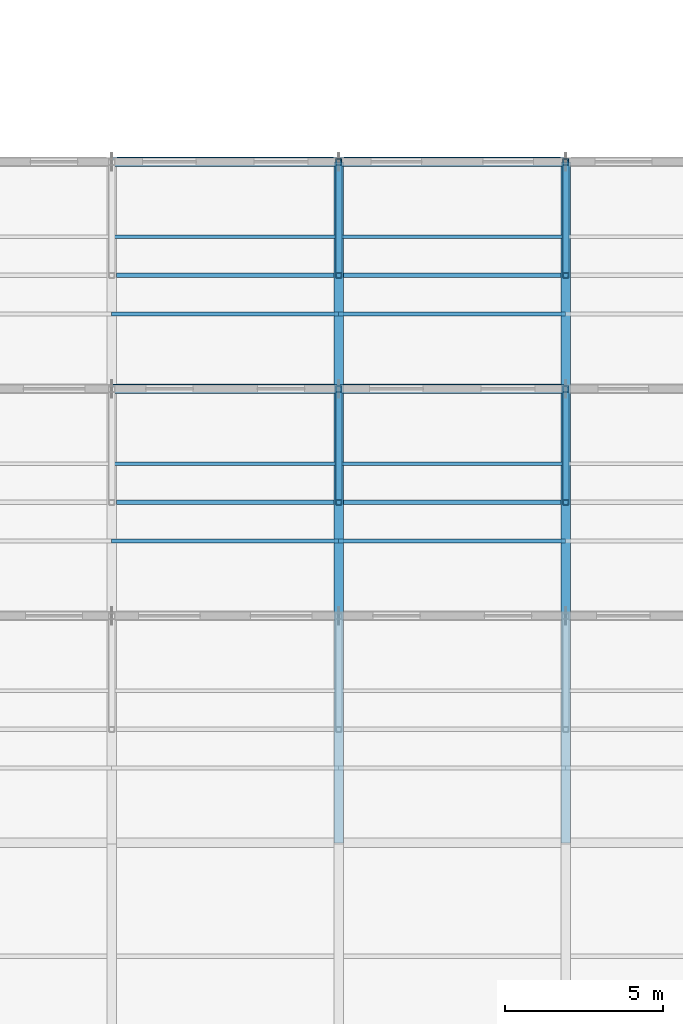
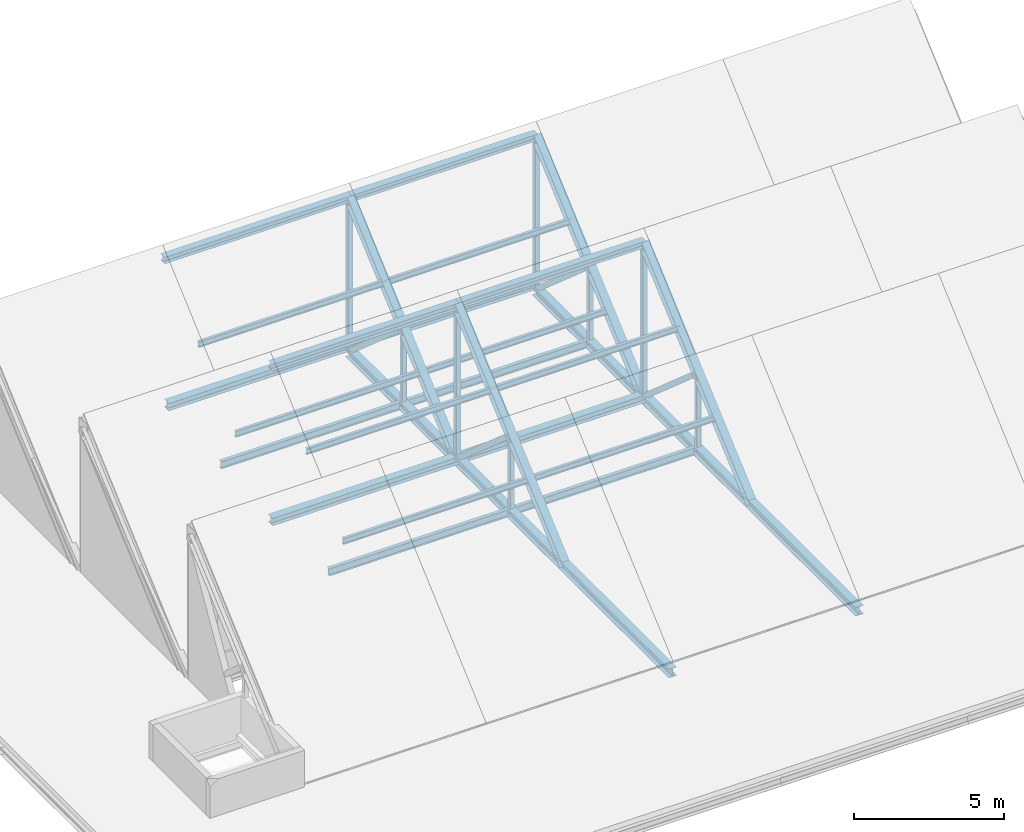
# One storey, part 8 of 31: 20 beams, 18 members.
"""IFC4 building model written with IfcOpenShell, lengths in metres."""

from ifc_helpers import new_model, si_unit, direction, frame, origin, origin_2d, place, context, subcontext, project, spatial, hollow_rectangle, hollow_circle, i_section, extrude, material, material_profile, profile_set, type_object, element, save


model = new_model("IFC4")

# Units and contexts
model_context = context("Model", 3, precision=1e-05, world=origin(), true_north=direction((0.0, 1.0)))
body_context = subcontext(model_context, "Body", "Model", "MODEL_VIEW")
ifc_project = project(units=[si_unit("LENGTHUNIT", "METRE"), si_unit("AREAUNIT", "SQUARE_METRE"), si_unit("VOLUMEUNIT", "CUBIC_METRE"), si_unit("PLANEANGLEUNIT", "RADIAN"), si_unit("MASSUNIT", "GRAM", prefix="KILO")], contexts=[model_context])

# Site, building, storey
site_placement = place(None, origin())
site = spatial("IfcSite", under=ifc_project, at=site_placement, CompositionType="ELEMENT")
building_placement = place(site_placement, origin())
building = spatial("IfcBuilding", under=site, at=building_placement, Name="Zlatovets Crest Museum", CompositionType="ELEMENT")
storey_placement = place(building_placement, frame((0.0, 0.0, 25.199951171875)))
storey = spatial("IfcBuildingStorey", under=building, at=storey_placement, Name="L05", CompositionType="ELEMENT", Elevation=25.199951171875)

# Beams
ifc_material = material(Name="Structural steel S355J2", Category="steel")
ifc_material_profile_1 = material_profile(ifc_material, i_section(OverallWidth=0.300048828125, OverallDepth=0.31005859375, WebThickness=0.009033203125, FlangeThickness=0.015380859375, FilletRadius=0.027099609375, at=origin_2d()), Name="HEA 320")
ifc_profile_set_1 = profile_set([ifc_material_profile_1], Name="Structural steel S355J2")
beam_type_1 = type_object("IfcBeamType", Name="Beam_B-04", PredefinedType="BEAM", material=ifc_profile_set_1)
for number, where, z_axis, x_axis, name in (
    (1, (72.0, 21.60009765625, -0.39990234375), (1.0, 0.0, 0.0), (0.0, 1.0, 0.0), "V2 Sawtooth Tooth 2 Valley / Clerestory Sill Girder"),
    (2, (79.199951171875, 21.60009765625, -0.39990234375), (1.0, 0.0, 0.0), (0.0, 1.0, 0.0), "V2 Sawtooth Tooth 2 Valley / Clerestory Sill Girder"),
):
    element("IfcBeam", number, at=place(storey_placement, frame(where, z_axis=z_axis, x_axis=x_axis)), inside=storey, type_object=beam_type_1, Name=name, PredefinedType="BEAM", context=body_context, shape_type="SweptSolid", body=[
        extrude(i_section(OverallWidth=0.300048828125, OverallDepth=0.31005859375, WebThickness=0.009033203125, FlangeThickness=0.015380859375, FilletRadius=0.027099609375, at=origin_2d()), origin(), (0.0, 0.0, 1.0), 7.199951171875),
    ])
beam_1_placement = place(storey_placement, frame((72.159912109375, 28.800048828125, -0.135009765625), z_axis=(1.0, 0.0, 0.0), x_axis=(0.0, 1.0, 0.0)))
element("IfcBeam", 3, at=beam_1_placement, inside=storey, type_object=beam_type_1, Name="V2 Sawtooth Tooth 3 Valley / Clerestory Sill Girder", PredefinedType="BEAM", context=body_context, shape_type="SweptSolid", body=[
    extrude(i_section(OverallWidth=0.300048828125, OverallDepth=0.31005859375, WebThickness=0.009033203125, FlangeThickness=0.015380859375, FilletRadius=0.027099609375, at=origin_2d()), origin(), (0.0, 0.0, 1.0), 6.880126953125),
])
beam_2_placement = place(storey_placement, frame((79.360107421875, 28.800048828125, -0.135009765625), z_axis=(1.0, 0.0, 0.0), x_axis=(0.0, 1.0, 0.0)))
element("IfcBeam", 4, at=beam_2_placement, inside=storey, type_object=beam_type_1, Name="V2 Sawtooth Tooth 3 Valley / Clerestory Sill Girder", PredefinedType="BEAM", context=body_context, shape_type="SweptSolid", body=[
    extrude(i_section(OverallWidth=0.300048828125, OverallDepth=0.31005859375, WebThickness=0.009033203125, FlangeThickness=0.015380859375, FilletRadius=0.027099609375, at=origin_2d()), origin(), (0.0, 0.0, 1.0), 6.8798828125),
])
ifc_material_profile_2 = material_profile(ifc_material, i_section(OverallWidth=0.280029296875, OverallDepth=0.27001953125, WebThickness=0.008056640625, FlangeThickness=0.012939453125, FilletRadius=0.02392578125, at=origin_2d()), Name="HEA 280")
ifc_profile_set_2 = profile_set([ifc_material_profile_2], Name="Structural steel S355J2")
beam_type_2 = type_object("IfcBeamType", Name="Beam_B-05", PredefinedType="BEAM", material=ifc_profile_set_2)
for number, where, z_axis, x_axis, name in (
    (5, (72.0, 21.60009765625, 5.8857421875), (1.0, 0.0, 0.0), (0.0, 1.0, 0.0), "V2 Sawtooth Tooth 2 Ridge Girder"),
    (6, (79.199951171875, 21.60009765625, 5.8857421875), (1.0, 0.0, 0.0), (0.0, 1.0, 0.0), "V2 Sawtooth Tooth 2 Ridge Girder"),
    (7, (72.0, 28.800048828125, 5.8857421875), (1.0, 0.0, 0.0), (0.0, 1.0, 0.0), "V2 Sawtooth Tooth 3 Ridge Girder"),
    (8, (79.199951171875, 28.800048828125, 5.8857421875), (1.0, 0.0, 0.0), (0.0, 1.0, 0.0), "V2 Sawtooth Tooth 3 Ridge Girder"),
):
    element("IfcBeam", number, at=place(storey_placement, frame(where, z_axis=z_axis, x_axis=x_axis)), inside=storey, type_object=beam_type_2, Name=name, PredefinedType="BEAM", context=body_context, shape_type="SweptSolid", body=[
        extrude(i_section(OverallWidth=0.280029296875, OverallDepth=0.27001953125, WebThickness=0.008056640625, FlangeThickness=0.012939453125, FilletRadius=0.02392578125, at=origin_2d()), origin(), (0.0, 0.0, 1.0), 7.199951171875),
    ])
ifc_material_profile_3 = material_profile(ifc_material, i_section(OverallWidth=0.14990234375, OverallDepth=0.300048828125, WebThickness=0.007080078125, FlangeThickness=0.0107421875, FilletRadius=0.014892578125, at=origin_2d()), Name="IPE 300")
ifc_profile_set_3 = profile_set([ifc_material_profile_3], Name="Structural steel S355J2")
beam_type_3 = type_object("IfcBeamType", Name="Beam_J-02", PredefinedType="JOIST", material=ifc_profile_set_3)
for number, where, z_axis, x_axis, name in (
    (9, (72.14990234375, 18.0, -0.369873046875), (1.0, 0.0, 0.0), (0.0, 1.0, 0.0), "V2 L05 Composite Joist J-02"),
    (10, (72.14990234375, 25.199951171875, -0.369873046875), (1.0, 0.0, 0.0), (0.0, 1.0, 0.0), "V2 L05 Composite Joist J-02"),
):
    element("IfcBeam", number, at=place(storey_placement, frame(where, z_axis=z_axis, x_axis=x_axis)), inside=storey, type_object=beam_type_3, Name=name, PredefinedType="JOIST", context=body_context, shape_type="SweptSolid", body=[
        extrude(i_section(OverallWidth=0.14990234375, OverallDepth=0.300048828125, WebThickness=0.007080078125, FlangeThickness=0.0107421875, FilletRadius=0.014892578125, at=origin_2d()), origin(), (0.0, 0.0, 1.0), 6.900146484375),
    ])
for number, where, z_axis, x_axis, name in (
    (11, (79.35009765625, 18.0, -0.369873046875), (1.0, 0.0, 0.0), (0.0, 1.0, 0.0), "V2 L05 Composite Joist J-02"),
    (12, (79.35009765625, 25.199951171875, -0.369873046875), (1.0, 0.0, 0.0), (0.0, 1.0, 0.0), "V2 L05 Composite Joist J-02"),
):
    element("IfcBeam", number, at=place(storey_placement, frame(where, z_axis=z_axis, x_axis=x_axis)), inside=storey, type_object=beam_type_3, Name=name, PredefinedType="JOIST", context=body_context, shape_type="SweptSolid", body=[
        extrude(i_section(OverallWidth=0.14990234375, OverallDepth=0.300048828125, WebThickness=0.007080078125, FlangeThickness=0.0107421875, FilletRadius=0.014892578125, at=origin_2d()), origin(), (0.0, 0.0, 1.0), 6.89990234375),
    ])
ifc_material_profile_4 = material_profile(ifc_material, i_section(OverallWidth=0.1201171875, OverallDepth=0.239990234375, WebThickness=0.006103515625, FlangeThickness=0.009765625, FilletRadius=0.014892578125, at=origin_2d()), Name="IPE 240")
ifc_profile_set_4 = profile_set([ifc_material_profile_4], Name="Structural steel S355J2")
beam_type_4 = type_object("IfcBeamType", Name="Beam_PR-01", PredefinedType="BEAM", material=ifc_profile_set_4)
for number, where, z_axis, x_axis, name in (
    (13, (72.0, 16.77587890625, 1.672607421875), (1.0, 0.0, 0.0), (0.0, 1.0, 0.0), "V2 Sawtooth Tooth 2 Purlin PR-01"),
    (14, (72.0, 19.22412109375, 3.8486328125), (1.0, 0.0, 0.0), (0.0, 1.0, 0.0), "V2 Sawtooth Tooth 2 Purlin PR-01"),
    (15, (79.199951171875, 16.77587890625, 1.672607421875), (1.0, 0.0, 0.0), (0.0, 1.0, 0.0), "V2 Sawtooth Tooth 2 Purlin PR-01"),
    (16, (79.199951171875, 19.22412109375, 3.8486328125), (1.0, 0.0, 0.0), (0.0, 1.0, 0.0), "V2 Sawtooth Tooth 2 Purlin PR-01"),
    (17, (72.0, 23.97607421875, 1.672607421875), (1.0, 0.0, 0.0), (0.0, 1.0, 0.0), "V2 Sawtooth Tooth 3 Purlin PR-01"),
    (18, (72.0, 26.424072265625, 3.8486328125), (1.0, 0.0, 0.0), (0.0, 1.0, 0.0), "V2 Sawtooth Tooth 3 Purlin PR-01"),
    (19, (79.199951171875, 23.97607421875, 1.672607421875), (1.0, 0.0, 0.0), (0.0, 1.0, 0.0), "V2 Sawtooth Tooth 3 Purlin PR-01"),
    (20, (79.199951171875, 26.424072265625, 3.8486328125), (1.0, 0.0, 0.0), (0.0, 1.0, 0.0), "V2 Sawtooth Tooth 3 Purlin PR-01"),
):
    element("IfcBeam", number, at=place(storey_placement, frame(where, z_axis=z_axis, x_axis=x_axis)), inside=storey, type_object=beam_type_4, Name=name, PredefinedType="BEAM", context=body_context, shape_type="SweptSolid", body=[
        extrude(i_section(OverallWidth=0.1201171875, OverallDepth=0.239990234375, WebThickness=0.006103515625, FlangeThickness=0.009765625, FilletRadius=0.014892578125, at=origin_2d()), origin(), (0.0, 0.0, 1.0), 7.199951171875),
    ])

# Members
ifc_material_profile_5 = material_profile(ifc_material, i_section(OverallWidth=0.300048828125, OverallDepth=0.360107421875, WebThickness=0.012451171875, FlangeThickness=0.0224609375, FilletRadius=0.027099609375, at=origin_2d()), Name="HEB 360")
ifc_profile_set_5 = profile_set([ifc_material_profile_5], Name="Structural steel S355J2")
member_type_1 = type_object("IfcMemberType", Name="Member_TM-01", PredefinedType="CHORD", material=ifc_profile_set_5)
for number, where, z_axis, x_axis, name in (
    (21, (79.199951171875, 7.199951171875, -0.39990234375), (0.0, 1.0, 0.0), (-1.0, 0.0, 0.0), "V2 Multi-Tooth Sawtooth Truss Bottom Tie Chord"),
    (22, (86.39990234375, 7.199951171875, -0.39990234375), (0.0, 1.0, 0.0), (-1.0, 0.0, 0.0), "V2 Multi-Tooth Sawtooth Truss Bottom Tie Chord"),
):
    element("IfcMember", number, at=place(storey_placement, frame(where, z_axis=z_axis, x_axis=x_axis)), inside=storey, type_object=member_type_1, Name=name, PredefinedType="CHORD", context=body_context, shape_type="SweptSolid", body=[
        extrude(i_section(OverallWidth=0.300048828125, OverallDepth=0.360107421875, WebThickness=0.012451171875, FlangeThickness=0.0224609375, FilletRadius=0.027099609375, at=origin_2d()), origin(), (0.0, 0.0, 1.0), 21.60009765625),
    ])
ifc_material_profile_6 = material_profile(ifc_material, i_section(OverallWidth=0.300048828125, OverallDepth=0.31005859375, WebThickness=0.009033203125, FlangeThickness=0.015380859375, FilletRadius=0.027099609375, at=origin_2d()), Name="HEA 320")
ifc_profile_set_6 = profile_set([ifc_material_profile_6], Name="Structural steel S355J2")
member_type_2 = type_object("IfcMemberType", Name="Member_TM-02", PredefinedType="RAFTER", material=ifc_profile_set_6)
member_1_placement = place(storey_placement, frame((79.199951171875, 14.39990234375, -0.39990234375), z_axis=(0.0, 0.753329397093, 0.657643383207), x_axis=(-1.0, 0.0, 0.0)))
element("IfcMember", 23, at=member_1_placement, inside=storey, type_object=member_type_2, Name="V2 Sawtooth Tooth 2 Rafter Chord", PredefinedType="RAFTER", context=body_context, shape_type="SweptSolid", body=[
    extrude(i_section(OverallWidth=0.300048828125, OverallDepth=0.31005859375, WebThickness=0.009033203125, FlangeThickness=0.015380859375, FilletRadius=0.027099609375, at=origin_2d()), origin(), (0.0, 0.0, 1.0), 9.557861328125),
])
member_2_placement = place(storey_placement, frame((79.199951171875, 21.60009765625, -0.39990234375), z_axis=(0.0, 0.753318349335, 0.65765603818), x_axis=(-1.0, 0.0, 0.0)))
element("IfcMember", 24, at=member_2_placement, inside=storey, type_object=member_type_2, Name="V2 Sawtooth Tooth 3 Rafter Chord", PredefinedType="RAFTER", context=body_context, shape_type="SweptSolid", body=[
    extrude(i_section(OverallWidth=0.300048828125, OverallDepth=0.31005859375, WebThickness=0.009033203125, FlangeThickness=0.015380859375, FilletRadius=0.027099609375, at=origin_2d()), origin(), (0.0, 0.0, 1.0), 9.5576171875),
])
member_3_placement = place(storey_placement, frame((86.39990234375, 14.39990234375, -0.39990234375), z_axis=(0.0, 0.753329397093, 0.657643383207), x_axis=(-1.0, 0.0, 0.0)))
element("IfcMember", 25, at=member_3_placement, inside=storey, type_object=member_type_2, Name="V2 Sawtooth Tooth 2 Rafter Chord", PredefinedType="RAFTER", context=body_context, shape_type="SweptSolid", body=[
    extrude(i_section(OverallWidth=0.300048828125, OverallDepth=0.31005859375, WebThickness=0.009033203125, FlangeThickness=0.015380859375, FilletRadius=0.027099609375, at=origin_2d()), origin(), (0.0, 0.0, 1.0), 9.557861328125),
])
member_4_placement = place(storey_placement, frame((86.39990234375, 21.60009765625, -0.39990234375), z_axis=(0.0, 0.753318349335, 0.65765603818), x_axis=(-1.0, 0.0, 0.0)))
element("IfcMember", 26, at=member_4_placement, inside=storey, type_object=member_type_2, Name="V2 Sawtooth Tooth 3 Rafter Chord", PredefinedType="RAFTER", context=body_context, shape_type="SweptSolid", body=[
    extrude(i_section(OverallWidth=0.300048828125, OverallDepth=0.31005859375, WebThickness=0.009033203125, FlangeThickness=0.015380859375, FilletRadius=0.027099609375, at=origin_2d()), origin(), (0.0, 0.0, 1.0), 9.5576171875),
])
ifc_material_profile_7 = material_profile(ifc_material, hollow_rectangle(XDim=0.199951171875, YDim=0.199951171875, WallThickness=0.012451171875, InnerFilletRadius=0.012451171875, OuterFilletRadius=0.02490234375, at=origin_2d()), Name="SHS 200x200x12.5")
ifc_profile_set_7 = profile_set([ifc_material_profile_7], Name="Structural steel S355J2")
member_type_3 = type_object("IfcMemberType", Name="Member_TM-03", PredefinedType="BRACE", material=ifc_profile_set_7)
for number, where, z_axis, x_axis, name in (
    (27, (79.199951171875, 21.60009765625, -0.39990234375), (0.0, 0.0, 1.0), (1.0, 0.0, 0.0), "V2 Sawtooth Tooth 2 North-Light Post"),
    (28, (79.199951171875, 28.800048828125, -0.39990234375), (0.0, 0.0, 1.0), (1.0, 0.0, 0.0), "V2 Sawtooth Tooth 3 North-Light Post"),
    (29, (86.39990234375, 21.60009765625, -0.39990234375), (0.0, 0.0, 1.0), (1.0, 0.0, 0.0), "V2 Sawtooth Tooth 2 North-Light Post"),
    (30, (86.39990234375, 28.800048828125, -0.39990234375), (0.0, 0.0, 1.0), (1.0, 0.0, 0.0), "V2 Sawtooth Tooth 3 North-Light Post"),
):
    element("IfcMember", number, at=place(storey_placement, frame(where, z_axis=z_axis, x_axis=x_axis)), inside=storey, type_object=member_type_3, Name=name, PredefinedType="BRACE", context=body_context, shape_type="SweptSolid", body=[
        extrude(hollow_rectangle(XDim=0.199951171875, YDim=0.199951171875, WallThickness=0.012451171875, InnerFilletRadius=0.012451171875, OuterFilletRadius=0.02490234375, at=origin_2d()), origin(), (0.0, 0.0, 1.0), 6.28564453125),
    ])
ifc_material_profile_8 = material_profile(ifc_material, hollow_rectangle(XDim=0.179931640625, YDim=0.179931640625, WallThickness=0.010009765625, InnerFilletRadius=0.010009765625, OuterFilletRadius=0.02001953125, at=origin_2d()), Name="SHS 180x180x10.0")
ifc_profile_set_8 = profile_set([ifc_material_profile_8], Name="Structural steel S355J2")
member_type_4 = type_object("IfcMemberType", Name="Member_TM-04", PredefinedType="STRUT", material=ifc_profile_set_8)
for number, where, z_axis, x_axis, name in (
    (31, (79.199951171875, 18.0, -0.39990234375), (0.0, 0.0, 1.0), (1.0, 0.0, 0.0), "V2 Sawtooth Tooth 2 Web Post"),
    (32, (79.199951171875, 25.199951171875, -0.39990234375), (0.0, 0.0, 1.0), (1.0, 0.0, 0.0), "V2 Sawtooth Tooth 3 Web Post"),
    (33, (86.39990234375, 18.0, -0.39990234375), (0.0, 0.0, 1.0), (1.0, 0.0, 0.0), "V2 Sawtooth Tooth 2 Web Post"),
    (34, (86.39990234375, 25.199951171875, -0.39990234375), (0.0, 0.0, 1.0), (1.0, 0.0, 0.0), "V2 Sawtooth Tooth 3 Web Post"),
):
    element("IfcMember", number, at=place(storey_placement, frame(where, z_axis=z_axis, x_axis=x_axis)), inside=storey, type_object=member_type_4, Name=name, PredefinedType="STRUT", context=body_context, shape_type="SweptSolid", body=[
        extrude(hollow_rectangle(XDim=0.179931640625, YDim=0.179931640625, WallThickness=0.010009765625, InnerFilletRadius=0.010009765625, OuterFilletRadius=0.02001953125, at=origin_2d()), origin(), (0.0, 0.0, 1.0), 3.142822265625),
    ])
ifc_material_profile_9 = material_profile(ifc_material, hollow_circle(Radius=0.109619140625, WallThickness=0.010009765625, at=origin_2d()), Name="CHS 219.1x10.0")
ifc_profile_set_9 = profile_set([ifc_material_profile_9], Name="Structural steel S355J2")
member_type_5 = type_object("IfcMemberType", Name="Member_TM-05", PredefinedType="BRACE", material=ifc_profile_set_9)
for number, where, z_axis, x_axis, name in (
    (35, (79.199951171875, 18.0, 2.742919921875), (0.0, 0.753329397093, -0.657643383207), (-1.0, 0.0, 0.0), "V2 Sawtooth Tooth 2 Web Diagonal"),
    (36, (79.199951171875, 25.199951171875, 2.742919921875), (0.0, 0.753329397093, -0.657643383207), (-1.0, 0.0, 0.0), "V2 Sawtooth Tooth 3 Web Diagonal"),
    (37, (86.39990234375, 18.0, 2.742919921875), (0.0, 0.753329397093, -0.657643383207), (-1.0, 0.0, 0.0), "V2 Sawtooth Tooth 2 Web Diagonal"),
    (38, (86.39990234375, 25.199951171875, 2.742919921875), (0.0, 0.753329397093, -0.657643383207), (-1.0, 0.0, 0.0), "V2 Sawtooth Tooth 3 Web Diagonal"),
):
    element("IfcMember", number, at=place(storey_placement, frame(where, z_axis=z_axis, x_axis=x_axis)), inside=storey, type_object=member_type_5, Name=name, PredefinedType="BRACE", context=body_context, shape_type="SweptSolid", body=[
        extrude(hollow_circle(Radius=0.109619140625, WallThickness=0.010009765625, at=origin_2d()), origin(), (0.0, 0.0, 1.0), 4.77880859375),
    ])

save(model, "model.ifc")
